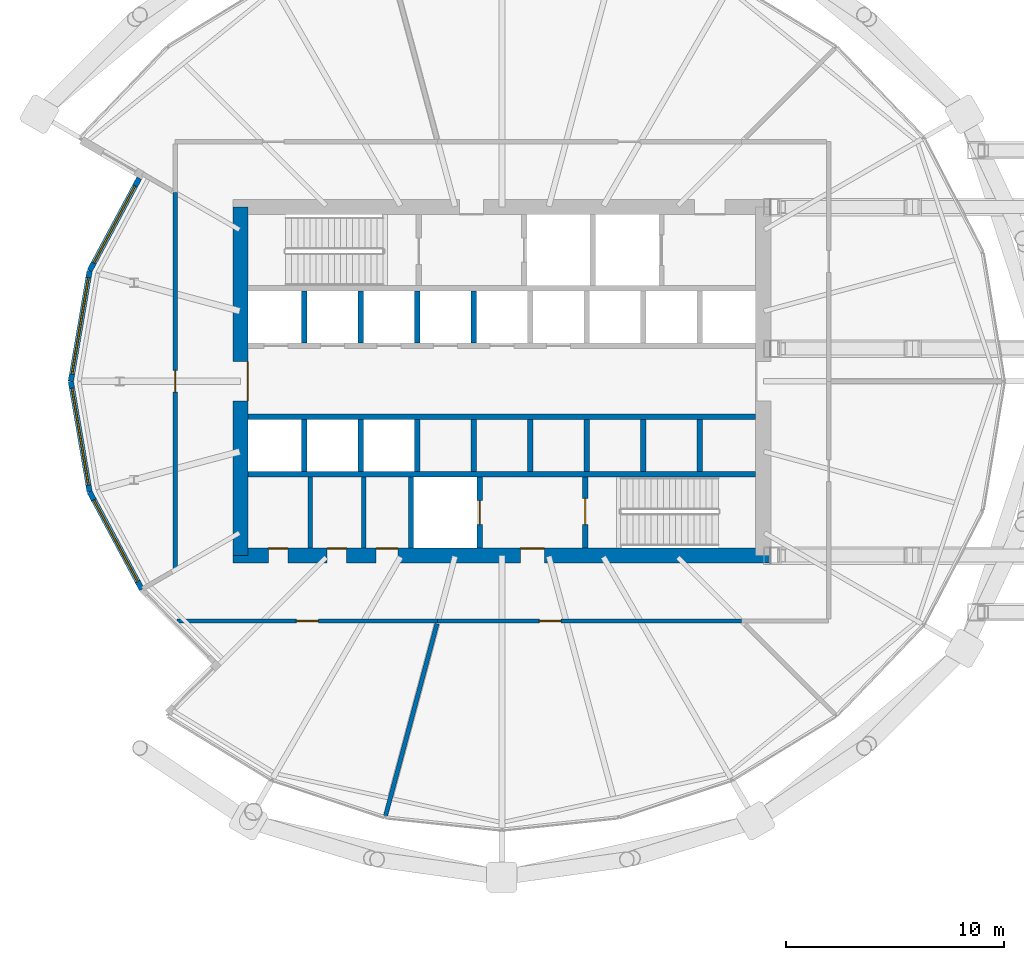
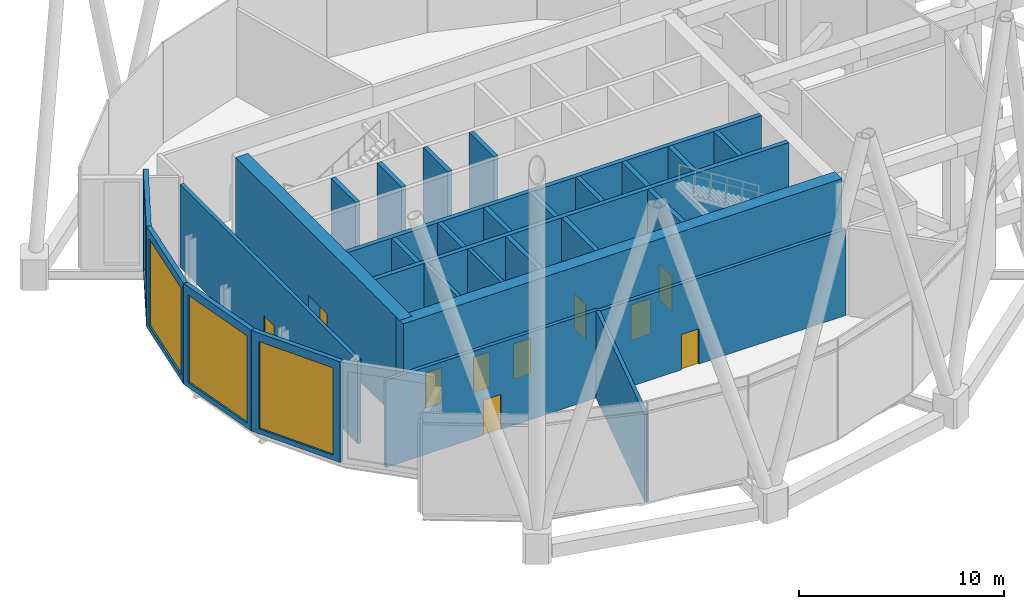
# One storey, part 32 of 39: 29 walls, 10 doors, 4 windows, 14 openings.
"""IFC4 building model written with IfcOpenShell, lengths in metres."""

from ifc_helpers import new_model, si_unit, direction, frame, frame_2d, origin, place, context, subcontext, project, spatial, rectangle, extrude, material, layer, layer_set, type_object, element, fill, save


model = new_model("IFC4")

# Units and contexts
model_context = context("Model", 3, precision=1e-05, world=origin(), true_north=direction((0.0, 1.0)))
body_context = subcontext(model_context, "Body", "Model", "MODEL_VIEW")
ifc_project = project(units=[si_unit("LENGTHUNIT", "METRE"), si_unit("AREAUNIT", "SQUARE_METRE"), si_unit("VOLUMEUNIT", "CUBIC_METRE"), si_unit("PLANEANGLEUNIT", "RADIAN"), si_unit("MASSUNIT", "GRAM", prefix="KILO")], contexts=[model_context])

# Site, building, storey
site_placement = place(None, origin())
site = spatial("IfcSite", under=ifc_project, at=site_placement, CompositionType="ELEMENT")
building_placement = place(site_placement, origin())
building = spatial("IfcBuilding", under=site, at=building_placement, Name="Rimbun Link Towers", CompositionType="ELEMENT")
storey_placement = place(building_placement, frame((0.0, 0.0, 127.199951171875)))
storey = spatial("IfcBuildingStorey", under=building, at=storey_placement, Name="L31", CompositionType="ELEMENT", Elevation=127.199951171875)

# Wall, opening, window
ifc_material_1 = material(Name="Dark enamelled glass spandrel on insulated aluminium backpan", Category="aluminium")
ifc_layer_1 = layer(ifc_material_1, 0.25)
ifc_layer_set_1 = layer_set([ifc_layer_1], Name="CS dark enamelled spandrel wall 250")
wall_type_1 = type_object("IfcWallType", Name="CS dark enamelled spandrel wall 250", PredefinedType="STANDARD", material=ifc_layer_set_1)
wall_1_placement = place(storey_placement, frame((-50.67822265625, 5.080810546875, 0.0), z_axis=(0.0, 0.0, 1.0), x_axis=(0.472357846454, 0.881406866829, 0.0)))
wall_1 = element("IfcWall", 1, at=wall_1_placement, inside=storey, type_object=wall_type_1, Name="Crease spandrel wall", PredefinedType="STANDARD", context=body_context, shape_type="SweptSolid", body=[
    extrude(rectangle(XDim=4.816650390625, YDim=0.25, at=frame_2d((2.408203125, 0.0))), origin(), (0.0, 0.0, 1.0), 6.0),
])
opening_1_placement = place(wall_1_placement, frame((0.408203125, 0.0, 0.300048828125)))
opening_1 = element("IfcOpeningElement", 2, at=opening_1_placement, cuts=wall_1, Name="Opening WR40H520", PredefinedType="OPENING", context=body_context, shape_type="SweptSolid", body=[
    extrude(rectangle(XDim=4.0, YDim=5.199951171875, at=frame_2d((2.0, 2.60009765625))), frame((0.0, 0.135009765625, 0.0), z_axis=(0.0, -1.0, 0.0), x_axis=(1.0, 0.0, 0.0)), (0.0, 0.0, 1.0), 0.27001953125),
])
ifc_material_2 = material(Name="Aluminium framed fixed window, dark tinted low-e glass", Category="aluminium")
window_type_1 = type_object("IfcWindowType", Name="WR ribbon window 4000X5200", PartitioningType="SINGLE_PANEL", PredefinedType="WINDOW", material=ifc_material_2)
window_1_placement = place(opening_1_placement, origin())
window_1 = element("IfcWindow", 3, at=window_1_placement, inside=storey, type_object=window_type_1, Name="Crease ribbon window", OverallHeight=5.199951171875, OverallWidth=4.0, PartitioningType="SINGLE_PANEL", PredefinedType="WINDOW", context=body_context, shape_type="SweptSolid", body=[
    extrude(rectangle(XDim=4.0, YDim=5.199951171875, at=frame_2d((2.0, 2.60009765625))), frame((0.0, 0.030029296875, 0.0), z_axis=(0.0, -1.0, 0.0), x_axis=(1.0, 0.0, 0.0)), (0.0, 0.0, 1.0), 0.06005859375),
])
fill(opening_1, window_1)

wall_2_placement = place(storey_placement, frame((-51.5419921875, 0.0, 0.0), z_axis=(0.0, 0.0, 1.0), x_axis=(0.16760147929, 0.985854829141, 0.0)))
wall_2 = element("IfcWall", 4, at=wall_2_placement, inside=storey, type_object=wall_type_1, Name="Crease spandrel wall", PredefinedType="STANDARD", context=body_context, shape_type="SweptSolid", body=[
    extrude(rectangle(XDim=5.15380859375, YDim=0.25, at=frame_2d((2.576904296875, 0.0))), origin(), (0.0, 0.0, 1.0), 6.0),
])
opening_2_placement = place(wall_2_placement, frame((0.326904296875, 0.0, 0.300048828125)))
opening_2 = element("IfcOpeningElement", 5, at=opening_2_placement, cuts=wall_2, Name="Opening WR45H520", PredefinedType="OPENING", context=body_context, shape_type="SweptSolid", body=[
    extrude(rectangle(XDim=4.5, YDim=5.199951171875, at=frame_2d((2.25, 2.60009765625))), frame((0.0, 0.135009765625, 0.0), z_axis=(0.0, -1.0, 0.0), x_axis=(1.0, 0.0, 0.0)), (0.0, 0.0, 1.0), 0.27001953125),
])
ifc_material_3 = material(Name="Aluminium framed fixed window, dark tinted low-e glass", Category="aluminium")
window_type_2 = type_object("IfcWindowType", Name="WR ribbon window 4500X5200", PartitioningType="SINGLE_PANEL", PredefinedType="WINDOW", material=ifc_material_3)
window_2_placement = place(opening_2_placement, origin())
window_2 = element("IfcWindow", 6, at=window_2_placement, inside=storey, type_object=window_type_2, Name="Crease ribbon window", OverallHeight=5.199951171875, OverallWidth=4.5, PartitioningType="SINGLE_PANEL", PredefinedType="WINDOW", context=body_context, shape_type="SweptSolid", body=[
    extrude(rectangle(XDim=4.5, YDim=5.199951171875, at=frame_2d((2.25, 2.60009765625))), frame((0.0, 0.030029296875, 0.0), z_axis=(0.0, -1.0, 0.0), x_axis=(1.0, 0.0, 0.0)), (0.0, 0.0, 1.0), 0.06005859375),
])
fill(opening_2, window_2)

wall_3_placement = place(storey_placement, frame((-50.67822265625, -5.080810546875, 0.0), z_axis=(0.0, 0.0, 1.0), x_axis=(-0.16760147929, 0.985854829141, 0.0)))
wall_3 = element("IfcWall", 7, at=wall_3_placement, inside=storey, type_object=wall_type_1, Name="Crease spandrel wall", PredefinedType="STANDARD", context=body_context, shape_type="SweptSolid", body=[
    extrude(rectangle(XDim=5.15380859375, YDim=0.25, at=frame_2d((2.576904296875, 0.0))), origin(), (0.0, 0.0, 1.0), 6.0),
])
opening_3_placement = place(wall_3_placement, frame((0.326904296875, 0.0, 0.300048828125)))
opening_3 = element("IfcOpeningElement", 8, at=opening_3_placement, cuts=wall_3, Name="Opening WR45H520", PredefinedType="OPENING", context=body_context, shape_type="SweptSolid", body=[
    extrude(rectangle(XDim=4.5, YDim=5.199951171875, at=frame_2d((2.25, 2.60009765625))), frame((0.0, 0.135009765625, 0.0), z_axis=(0.0, -1.0, 0.0), x_axis=(1.0, 0.0, 0.0)), (0.0, 0.0, 1.0), 0.27001953125),
])
window_3_placement = place(opening_3_placement, origin())
window_3 = element("IfcWindow", 9, at=window_3_placement, inside=storey, type_object=window_type_2, Name="Crease ribbon window", OverallHeight=5.199951171875, OverallWidth=4.5, PartitioningType="SINGLE_PANEL", PredefinedType="WINDOW", context=body_context, shape_type="SweptSolid", body=[
    extrude(rectangle(XDim=4.5, YDim=5.199951171875, at=frame_2d((2.25, 2.60009765625))), frame((0.0, 0.030029296875, 0.0), z_axis=(0.0, -1.0, 0.0), x_axis=(1.0, 0.0, 0.0)), (0.0, 0.0, 1.0), 0.06005859375),
])
fill(opening_3, window_3)

wall_4_placement = place(storey_placement, frame((-48.2783203125, -9.559326171875, 0.0), z_axis=(0.0, 0.0, 1.0), x_axis=(-0.472328080238, 0.881422818299, 0.0)))
wall_4 = element("IfcWall", 10, at=wall_4_placement, inside=storey, type_object=wall_type_1, Name="Crease spandrel wall", PredefinedType="STANDARD", context=body_context, shape_type="SweptSolid", body=[
    extrude(rectangle(XDim=5.0810546875, YDim=0.25, at=frame_2d((2.54052734375, 0.0))), origin(), (0.0, 0.0, 1.0), 6.0),
])
opening_4_placement = place(wall_4_placement, frame((0.41552734375, 0.0, 0.300048828125)))
opening_4 = element("IfcOpeningElement", 11, at=opening_4_placement, cuts=wall_4, Name="Opening WR42H520", PredefinedType="OPENING", context=body_context, shape_type="SweptSolid", body=[
    extrude(rectangle(XDim=4.25, YDim=5.199951171875, at=frame_2d((2.125, 2.60009765625))), frame((0.0, 0.135009765625, 0.0), z_axis=(0.0, -1.0, 0.0), x_axis=(1.0, 0.0, 0.0)), (0.0, 0.0, 1.0), 0.27001953125),
])
ifc_material_4 = material(Name="Aluminium framed fixed window, dark tinted low-e glass", Category="aluminium")
window_type_3 = type_object("IfcWindowType", Name="WR ribbon window 4250X5200", PartitioningType="SINGLE_PANEL", PredefinedType="WINDOW", material=ifc_material_4)
window_4_placement = place(opening_4_placement, origin())
window_4 = element("IfcWindow", 12, at=window_4_placement, inside=storey, type_object=window_type_3, Name="Crease ribbon window", OverallHeight=5.199951171875, OverallWidth=4.25, PartitioningType="SINGLE_PANEL", PredefinedType="WINDOW", context=body_context, shape_type="SweptSolid", body=[
    extrude(rectangle(XDim=4.25, YDim=5.199951171875, at=frame_2d((2.125, 2.60009765625))), frame((0.0, 0.030029296875, 0.0), z_axis=(0.0, -1.0, 0.0), x_axis=(1.0, 0.0, 0.0)), (0.0, 0.0, 1.0), 0.06005859375),
])
fill(opening_4, window_4)

# Walls
ifc_material_5 = material(Name="Masonry blockwork", Category="masonry")
ifc_layer_2 = layer(ifc_material_5, 0.199951171875)
ifc_layer_set_2 = layer_set([ifc_layer_2], Name="Core partition 200")
wall_type_2 = type_object("IfcWallType", Name="Core partition 200", PredefinedType="PARTITIONING", material=ifc_layer_set_2)
for number, where, z_axis, x_axis, name in (
    (13, (-40.550048828125, -4.39990234375, 0.0), (0.0, 0.0, 1.0), (0.0, -1.0, 0.0), "L31 T1 core wall C1"),
    (14, (-38.10009765625, -4.39990234375, 0.0), (0.0, 0.0, 1.0), (0.0, -1.0, 0.0), "L31 T1 core wall C2"),
):
    element("IfcWall", number, at=place(storey_placement, frame(where, z_axis=z_axis, x_axis=x_axis)), inside=storey, type_object=wall_type_2, Name=name, PredefinedType="PARTITIONING", context=body_context, shape_type="SweptSolid", body=[
        extrude(rectangle(XDim=3.25, YDim=0.199951171875, at=frame_2d((1.625, 0.0))), origin(), (0.0, 0.0, 1.0), 6.0),
    ])

# Wall, openings, doors
ifc_material_6 = material(Name="Concrete C60/75", Category="concrete")
ifc_layer_3 = layer(ifc_material_6, 0.699951171875)
ifc_layer_set_3 = layer_set([ifc_layer_3], Name="Core shear wall 700")
wall_type_3 = type_object("IfcWallType", Name="Core shear wall 700", PredefinedType="SHEAR", material=ifc_layer_set_3)
wall_5_placement = place(storey_placement, frame((-44.10009765625, -8.0, 0.0), z_axis=(0.0, 0.0, 1.0), x_axis=(1.0, 0.0, 0.0)))
wall_5 = element("IfcWall", 15, at=wall_5_placement, inside=storey, type_object=wall_type_3, Name="L31 T1 core wall S", PredefinedType="SHEAR", context=body_context, shape_type="SweptSolid", body=[
    extrude(rectangle(XDim=24.7001953125, YDim=0.699951171875, at=frame_2d((12.35009765625, 0.0))), origin(), (0.0, 0.0, 1.0), 6.0),
])
opening_5_placement = place(wall_5_placement, frame((13.199951171875, 0.0, 0.0)))
opening_5 = element("IfcOpeningElement", 16, at=opening_5_placement, cuts=wall_5, Name="Opening C1DCF01S", PredefinedType="OPENING", context=body_context, shape_type="SweptSolid", body=[
    extrude(rectangle(XDim=1.10009765625, YDim=2.10009765625, at=frame_2d((0.550048828125, 1.050048828125))), frame((0.0, 0.35986328125, 0.0), z_axis=(0.0, -1.0, 0.0), x_axis=(1.0, 0.0, 0.0)), (0.0, 0.0, 1.0), 0.719970703125),
])
opening_6_placement = place(wall_5_placement, frame((1.625, 0.0, 0.0)))
opening_6 = element("IfcOpeningElement", 17, at=opening_6_placement, cuts=wall_5, Name="Opening C1DWC02S", PredefinedType="OPENING", context=body_context, shape_type="SweptSolid", body=[
    extrude(rectangle(XDim=0.89990234375, YDim=2.10009765625, at=frame_2d((0.449951171875, 1.050048828125))), frame((0.0, 0.35986328125, 0.0), z_axis=(0.0, -1.0, 0.0), x_axis=(1.0, 0.0, 0.0)), (0.0, 0.0, 1.0), 0.719970703125),
])
opening_7_placement = place(wall_5_placement, frame((4.324951171875, 0.0, 0.0)))
opening_7 = element("IfcOpeningElement", 18, at=opening_7_placement, cuts=wall_5, Name="Opening C1DWC03S", PredefinedType="OPENING", context=body_context, shape_type="SweptSolid", body=[
    extrude(rectangle(XDim=0.89990234375, YDim=2.10009765625, at=frame_2d((0.449951171875, 1.050048828125))), frame((0.0, 0.35986328125, 0.0), z_axis=(0.0, -1.0, 0.0), x_axis=(1.0, 0.0, 0.0)), (0.0, 0.0, 1.0), 0.719970703125),
])
opening_8_placement = place(wall_5_placement, frame((6.574951171875, 0.0, 0.0)))
opening_8 = element("IfcOpeningElement", 19, at=opening_8_placement, cuts=wall_5, Name="Opening C1DAW04S", PredefinedType="OPENING", context=body_context, shape_type="SweptSolid", body=[
    extrude(rectangle(XDim=1.0, YDim=2.10009765625, at=frame_2d((0.5, 1.050048828125))), frame((0.0, 0.35986328125, 0.0), z_axis=(0.0, -1.0, 0.0), x_axis=(1.0, 0.0, 0.0)), (0.0, 0.0, 1.0), 0.719970703125),
])
ifc_material_7 = material(Name="Timber", Category="wood")
door_type_1 = type_object("IfcDoorType", Name="Accessible WC door", OperationType="SINGLE_SWING_LEFT", PredefinedType="DOOR", material=ifc_material_7)
door_1_placement = place(opening_8_placement, origin())
door_1 = element("IfcDoor", 20, at=door_1_placement, inside=storey, type_object=door_type_1, Name="L31 T1 accessible wc door", OperationType="SINGLE_SWING_RIGHT", OverallHeight=2.10009765625, OverallWidth=1.0, PredefinedType="DOOR", context=body_context, shape_type="SweptSolid", body=[
    extrude(rectangle(XDim=1.0, YDim=2.10009765625, at=frame_2d((0.5, 1.050048828125))), frame((0.0, 0.35009765625, 0.0), z_axis=(0.0, -1.0, 0.0), x_axis=(1.0, 0.0, 0.0)), (0.0, 0.0, 1.0), 0.050048828125),
])
fill(opening_8, door_1)
ifc_material_8 = material(Name="Steel fire door set", Category="steel")
door_type_2 = type_object("IfcDoorType", Name="Core fire door single", OperationType="SINGLE_SWING_LEFT", PredefinedType="DOOR", material=ifc_material_8)
door_2_placement = place(opening_5_placement, origin())
door_2 = element("IfcDoor", 21, at=door_2_placement, inside=storey, type_object=door_type_2, Name="L31 T1 firefighting lobby s door", OperationType="SINGLE_SWING_RIGHT", OverallHeight=2.10009765625, OverallWidth=1.10009765625, PredefinedType="DOOR", context=body_context, shape_type="SweptSolid", body=[
    extrude(rectangle(XDim=1.10009765625, YDim=2.10009765625, at=frame_2d((0.550048828125, 1.050048828125))), frame((0.0, 0.35009765625, 0.0), z_axis=(0.0, -1.0, 0.0), x_axis=(1.0, 0.0, 0.0)), (0.0, 0.0, 1.0), 0.050048828125),
])
fill(opening_5, door_2)
ifc_material_9 = material(Name="Timber", Category="wood")
door_type_3 = type_object("IfcDoorType", Name="WC door", OperationType="SINGLE_SWING_LEFT", PredefinedType="DOOR", material=ifc_material_9)
door_3_placement = place(opening_6_placement, origin())
door_3 = element("IfcDoor", 22, at=door_3_placement, inside=storey, type_object=door_type_3, Name="L31 T1 male wc door", OperationType="SINGLE_SWING_LEFT", OverallHeight=2.10009765625, OverallWidth=0.89990234375, PredefinedType="DOOR", context=body_context, shape_type="SweptSolid", body=[
    extrude(rectangle(XDim=0.89990234375, YDim=2.10009765625, at=frame_2d((0.449951171875, 1.050048828125))), frame((0.0, 0.35009765625, 0.0), z_axis=(0.0, -1.0, 0.0), x_axis=(1.0, 0.0, 0.0)), (0.0, 0.0, 1.0), 0.050048828125),
])
fill(opening_6, door_3)
door_4_placement = place(opening_7_placement, origin())
door_4 = element("IfcDoor", 23, at=door_4_placement, inside=storey, type_object=door_type_3, Name="L31 T1 female wc door", OperationType="SINGLE_SWING_RIGHT", OverallHeight=2.10009765625, OverallWidth=0.89990234375, PredefinedType="DOOR", context=body_context, shape_type="SweptSolid", body=[
    extrude(rectangle(XDim=0.89990234375, YDim=2.10009765625, at=frame_2d((0.449951171875, 1.050048828125))), frame((0.0, 0.35009765625, 0.0), z_axis=(0.0, -1.0, 0.0), x_axis=(1.0, 0.0, 0.0)), (0.0, 0.0, 1.0), 0.050048828125),
])
fill(opening_7, door_4)

# Wall, opening, door
wall_6_placement = place(storey_placement, frame((-43.75, -8.0, 0.0), z_axis=(0.0, 0.0, 1.0), x_axis=(0.0, 1.0, 0.0)))
wall_6 = element("IfcWall", 24, at=wall_6_placement, inside=storey, type_object=wall_type_3, Name="L31 T1 core wall W", PredefinedType="SHEAR", context=body_context, shape_type="SweptSolid", body=[
    extrude(rectangle(XDim=16.0, YDim=0.699951171875, at=frame_2d((8.0, 0.0))), origin(), (0.0, 0.0, 1.0), 6.0),
])
opening_9_placement = place(wall_6_placement, frame((7.10009765625, 0.0, 0.0)))
opening_9 = element("IfcOpeningElement", 25, at=opening_9_placement, cuts=wall_6, Name="Opening C1DCL01W", PredefinedType="OPENING", context=body_context, shape_type="SweptSolid", body=[
    extrude(rectangle(XDim=1.800048828125, YDim=2.10009765625, at=frame_2d((0.89990234375, 1.050048828125))), frame((0.0, 0.35986328125, 0.0), z_axis=(0.0, -1.0, 0.0), x_axis=(1.0, 0.0, 0.0)), (0.0, 0.0, 1.0), 0.719970703125),
])
ifc_material_10 = material(Name="Steel fire door set", Category="steel")
door_type_4 = type_object("IfcDoorType", Name="Core lobby door double", OperationType="DOUBLE_DOOR_SINGLE_SWING", PredefinedType="DOOR", material=ifc_material_10)
door_5_placement = place(opening_9_placement, origin())
door_5 = element("IfcDoor", 26, at=door_5_placement, inside=storey, type_object=door_type_4, Name="L31 T1 lift lobby door", OperationType="DOUBLE_DOOR_SINGLE_SWING", OverallHeight=2.10009765625, OverallWidth=1.800048828125, PredefinedType="DOOR", context=body_context, shape_type="SweptSolid", body=[
    extrude(rectangle(XDim=1.800048828125, YDim=2.10009765625, at=frame_2d((0.89990234375, 1.050048828125))), frame((0.0, -0.2998046875, 0.0), z_axis=(0.0, -1.0, 0.0), x_axis=(1.0, 0.0, 0.0)), (0.0, 0.0, 1.0), 0.050048828125),
])
fill(opening_9, door_5)

ifc_material_11 = material(Name="Concrete blockwork", Category="masonry")
ifc_layer_4 = layer(ifc_material_11, 0.199951171875)
ifc_layer_set_4 = layer_set([ifc_layer_4], Name="Fire partition 200 blockwork")
wall_type_4 = type_object("IfcWallType", Name="Fire partition 200 blockwork", PredefinedType="PARTITIONING", material=ifc_layer_set_4)
wall_7_placement = place(storey_placement, frame((-46.666259765625, -11.0, 0.0), z_axis=(0.0, 0.0, 1.0), x_axis=(1.0, 0.0, 0.0)))
wall_7 = element("IfcWall", 27, at=wall_7_placement, inside=storey, type_object=wall_type_4, Name="TW/PW/L31/001", PredefinedType="PARTITIONING", context=body_context, shape_type="SweptSolid", body=[
    extrude(rectangle(XDim=11.96875, YDim=0.199951171875, at=frame_2d((5.984375, 0.0))), origin(), (0.0, 0.0, 1.0), 5.197021484375),
])
opening_10_placement = place(wall_7_placement, frame((5.48388671875, 0.0, 0.0)))
opening_10 = element("IfcOpeningElement", 28, at=opening_10_placement, cuts=wall_7, Name="Opening TW D31.01", PredefinedType="OPENING", context=body_context, shape_type="SweptSolid", body=[
    extrude(rectangle(XDim=1.0, YDim=2.10009765625, at=frame_2d((0.5, 1.050048828125))), frame((0.0, 0.10986328125, 0.0), z_axis=(0.0, -1.0, 0.0), x_axis=(1.0, 0.0, 0.0)), (0.0, 0.0, 1.0), 0.219970703125),
])
ifc_material_12 = material(Name="Steel fire door set", Category="steel")
door_type_5 = type_object("IfcDoorType", Name="Fire door single leaf 1000 x 2100", OperationType="NOTDEFINED", PredefinedType="DOOR", material=ifc_material_12)
door_6_placement = place(opening_10_placement, origin())
door_6 = element("IfcDoor", 29, at=door_6_placement, inside=storey, type_object=door_type_5, Name="TW/DR/L31/001", OperationType="SINGLE_SWING_RIGHT", OverallHeight=2.10009765625, OverallWidth=1.0, PredefinedType="DOOR", context=body_context, shape_type="SweptSolid", body=[
    extrude(rectangle(XDim=1.0, YDim=2.10009765625, at=frame_2d((0.5, 1.050048828125))), frame((0.0, 0.02490234375, 0.0), z_axis=(0.0, -1.0, 0.0), x_axis=(1.0, 0.0, 0.0)), (0.0, 0.0, 1.0), 0.050048828125),
])
fill(opening_10, door_6)

wall_8_placement = place(storey_placement, frame((-34.697509765625, -11.0, 0.0), z_axis=(0.0, 0.0, 1.0), x_axis=(1.0, 0.0, 0.0)))
wall_8 = element("IfcWall", 30, at=wall_8_placement, inside=storey, type_object=wall_type_4, Name="TW/PW/L31/002", PredefinedType="PARTITIONING", context=body_context, shape_type="SweptSolid", body=[
    extrude(rectangle(XDim=13.947509765625, YDim=0.199951171875, at=frame_2d((6.9736328125, 0.0))), origin(), (0.0, 0.0, 1.0), 5.115966796875),
])
opening_11_placement = place(wall_8_placement, frame((4.6669921875, 0.0, 0.0)))
opening_11 = element("IfcOpeningElement", 31, at=opening_11_placement, cuts=wall_8, Name="Opening TW D31.02", PredefinedType="OPENING", context=body_context, shape_type="SweptSolid", body=[
    extrude(rectangle(XDim=1.0, YDim=2.10009765625, at=frame_2d((0.5, 1.050048828125))), frame((0.0, 0.10986328125, 0.0), z_axis=(0.0, -1.0, 0.0), x_axis=(1.0, 0.0, 0.0)), (0.0, 0.0, 1.0), 0.219970703125),
])
door_7_placement = place(opening_11_placement, origin())
door_7 = element("IfcDoor", 32, at=door_7_placement, inside=storey, type_object=door_type_5, Name="TW/DR/L31/002", OperationType="SINGLE_SWING_LEFT", OverallHeight=2.10009765625, OverallWidth=1.0, PredefinedType="DOOR", context=body_context, shape_type="SweptSolid", body=[
    extrude(rectangle(XDim=1.0, YDim=2.10009765625, at=frame_2d((0.5, 1.050048828125))), frame((0.0, 0.02490234375, 0.0), z_axis=(0.0, -1.0, 0.0), x_axis=(1.0, 0.0, 0.0)), (0.0, 0.0, 1.0), 0.050048828125),
])
fill(opening_11, door_7)

wall_9_placement = place(storey_placement, frame((-46.75, 8.660400390625, 0.0), z_axis=(0.0, 0.0, 1.0), x_axis=(0.0, -1.0, 0.0)))
wall_9 = element("IfcWall", 33, at=wall_9_placement, inside=storey, type_object=wall_type_4, Name="TW/PW/L31/010", PredefinedType="PARTITIONING", context=body_context, shape_type="SweptSolid", body=[
    extrude(rectangle(XDim=17.32080078125, YDim=0.199951171875, at=frame_2d((8.660400390625, 0.0))), origin(), (0.0, 0.0, 1.0), 4.958984375),
])
opening_12_placement = place(wall_9_placement, frame((8.159912109375, 0.0, 0.0)))
opening_12 = element("IfcOpeningElement", 34, at=opening_12_placement, cuts=wall_9, Name="Opening TW D31.07", PredefinedType="OPENING", context=body_context, shape_type="SweptSolid", body=[
    extrude(rectangle(XDim=1.0, YDim=2.10009765625, at=frame_2d((0.5, 1.050048828125))), frame((0.0, 0.10986328125, 0.0), z_axis=(0.0, -1.0, 0.0), x_axis=(1.0, 0.0, 0.0)), (0.0, 0.0, 1.0), 0.219970703125),
])
door_8_placement = place(opening_12_placement, origin())
door_8 = element("IfcDoor", 35, at=door_8_placement, inside=storey, type_object=door_type_5, Name="TW/DR/L31/007", OperationType="SINGLE_SWING_RIGHT", OverallHeight=2.10009765625, OverallWidth=1.0, PredefinedType="DOOR", context=body_context, shape_type="SweptSolid", body=[
    extrude(rectangle(XDim=1.0, YDim=2.10009765625, at=frame_2d((0.5, 1.050048828125))), frame((0.0, 0.02490234375, 0.0), z_axis=(0.0, -1.0, 0.0), x_axis=(1.0, 0.0, 0.0)), (0.0, 0.0, 1.0), 0.050048828125),
])
fill(opening_12, door_8)

# Walls
wall_10_placement = place(storey_placement, frame((-37.093505859375, -19.94189453125, 0.0), z_axis=(0.0, 0.0, 1.0), x_axis=(0.258827896586, 0.965923454498, 0.0)))
element("IfcWall", 36, at=wall_10_placement, inside=storey, type_object=wall_type_4, Name="TW/PW/L31/012", PredefinedType="PARTITIONING", context=body_context, shape_type="SweptSolid", body=[
    extrude(rectangle(XDim=9.126953125, YDim=0.199951171875, at=frame_2d((4.5634765625, 0.0))), origin(), (0.0, 0.0, 1.0), 5.197021484375),
])
ifc_material_13 = material(Name="Concrete C60/75", Category="concrete")
ifc_layer_5 = layer(ifc_material_13, 0.25)
ifc_layer_set_5 = layer_set([ifc_layer_5], Name="Shaft wall 250")
wall_type_5 = type_object("IfcWallType", Name="Shaft wall 250", PredefinedType="SHEAR", material=ifc_layer_set_5)
for number, where, z_axis, x_axis, name in (
    (37, (-43.39990234375, -4.27490234375, 0.0), (0.0, 0.0, 1.0), (1.0, 0.0, 0.0), "L31 T1 core wall BS"),
    (38, (-43.39990234375, -1.625, 0.0), (0.0, 0.0, 1.0), (1.0, 0.0, 0.0), "L31 T1 core wall FS"),
):
    element("IfcWall", number, at=place(storey_placement, frame(where, z_axis=z_axis, x_axis=x_axis)), inside=storey, type_object=wall_type_5, Name=name, PredefinedType="SHEAR", context=body_context, shape_type="SweptSolid", body=[
        extrude(rectangle(XDim=23.2998046875, YDim=0.25, at=frame_2d((11.64990234375, 0.0))), origin(), (0.0, 0.0, 1.0), 6.0),
    ])
for number, where, z_axis, x_axis, name in (
    (39, (-40.83056640625, 1.75, 0.0), (0.0, 0.0, 1.0), (0.0, 1.0, 0.0), "L31 T1 core wall DN0"),
    (40, (-38.236083984375, 1.75, 0.0), (0.0, 0.0, 1.0), (0.0, 1.0, 0.0), "L31 T1 core wall DN1"),
    (41, (-35.6416015625, 1.75, 0.0), (0.0, 0.0, 1.0), (0.0, 1.0, 0.0), "L31 T1 core wall DN2"),
    (42, (-33.047119140625, 1.75, 0.0), (0.0, 0.0, 1.0), (0.0, 1.0, 0.0), "L31 T1 core wall DN3"),
    (43, (-40.83056640625, -4.14990234375, 0.0), (0.0, 0.0, 1.0), (0.0, 1.0, 0.0), "L31 T1 core wall DS0"),
    (44, (-38.236083984375, -4.14990234375, 0.0), (0.0, 0.0, 1.0), (0.0, 1.0, 0.0), "L31 T1 core wall DS1"),
    (45, (-35.6416015625, -4.14990234375, 0.0), (0.0, 0.0, 1.0), (0.0, 1.0, 0.0), "L31 T1 core wall DS2"),
    (46, (-33.047119140625, -4.14990234375, 0.0), (0.0, 0.0, 1.0), (0.0, 1.0, 0.0), "L31 T1 core wall DS3"),
    (47, (-30.452880859375, -4.14990234375, 0.0), (0.0, 0.0, 1.0), (0.0, 1.0, 0.0), "L31 T1 core wall DS4"),
    (48, (-27.8583984375, -4.14990234375, 0.0), (0.0, 0.0, 1.0), (0.0, 1.0, 0.0), "L31 T1 core wall DS5"),
    (49, (-25.263916015625, -4.14990234375, 0.0), (0.0, 0.0, 1.0), (0.0, 1.0, 0.0), "L31 T1 core wall DS6"),
    (50, (-22.66943359375, -4.14990234375, 0.0), (0.0, 0.0, 1.0), (0.0, 1.0, 0.0), "L31 T1 core wall DS7"),
):
    element("IfcWall", number, at=place(storey_placement, frame(where, z_axis=z_axis, x_axis=x_axis)), inside=storey, type_object=wall_type_5, Name=name, PredefinedType="SHEAR", context=body_context, shape_type="SweptSolid", body=[
        extrude(rectangle(XDim=2.39990234375, YDim=0.25, at=frame_2d((1.199951171875, 0.0))), origin(), (0.0, 0.0, 1.0), 6.0),
    ])

# Wall, opening, door
wall_11_placement = place(storey_placement, frame((-27.925048828125, -4.39990234375, 0.0), z_axis=(0.0, 0.0, 1.0), x_axis=(0.0, -1.0, 0.0)))
wall_11 = element("IfcWall", 51, at=wall_11_placement, inside=storey, type_object=wall_type_5, Name="L31 T1 core wall B1", PredefinedType="SHEAR", context=body_context, shape_type="SweptSolid", body=[
    extrude(rectangle(XDim=3.25, YDim=0.25, at=frame_2d((1.625, 0.0))), origin(), (0.0, 0.0, 1.0), 6.0),
])
opening_13_placement = place(wall_11_placement, frame((0.97509765625, 0.0, 0.0)))
opening_13 = element("IfcOpeningElement", 52, at=opening_13_placement, cuts=wall_11, Name="Opening C1DST01B1", PredefinedType="OPENING", context=body_context, shape_type="SweptSolid", body=[
    extrude(rectangle(XDim=1.199951171875, YDim=2.10009765625, at=frame_2d((0.60009765625, 1.050048828125))), frame((0.0, 0.135009765625, 0.0), z_axis=(0.0, -1.0, 0.0), x_axis=(1.0, 0.0, 0.0)), (0.0, 0.0, 1.0), 0.27001953125),
])
ifc_material_14 = material(Name="Steel fire door set", Category="steel")
door_type_6 = type_object("IfcDoorType", Name="Stair door", OperationType="SINGLE_SWING_LEFT", PredefinedType="DOOR", material=ifc_material_14)
door_9_placement = place(opening_13_placement, origin())
door_9 = element("IfcDoor", 53, at=door_9_placement, inside=storey, type_object=door_type_6, Name="L31 T1 stair b door", OperationType="SINGLE_SWING_RIGHT", OverallHeight=2.10009765625, OverallWidth=1.199951171875, PredefinedType="DOOR", context=body_context, shape_type="SweptSolid", body=[
    extrude(rectangle(XDim=1.199951171875, YDim=2.10009765625, at=frame_2d((0.60009765625, 1.050048828125))), frame((0.0, 0.02490234375, 0.0), z_axis=(0.0, -1.0, 0.0), x_axis=(1.0, 0.0, 0.0)), (0.0, 0.0, 1.0), 0.050048828125),
])
fill(opening_13, door_9)

wall_12_placement = place(storey_placement, frame((-32.77490234375, -4.39990234375, 0.0), z_axis=(0.0, 0.0, 1.0), x_axis=(0.0, -1.0, 0.0)))
wall_12 = element("IfcWall", 54, at=wall_12_placement, inside=storey, type_object=wall_type_5, Name="L31 T1 core wall B2", PredefinedType="SHEAR", context=body_context, shape_type="SweptSolid", body=[
    extrude(rectangle(XDim=3.25, YDim=0.25, at=frame_2d((1.625, 0.0))), origin(), (0.0, 0.0, 1.0), 6.0),
])
opening_14_placement = place(wall_12_placement, frame((1.074951171875, 0.0, 0.0)))
opening_14 = element("IfcOpeningElement", 55, at=opening_14_placement, cuts=wall_12, Name="Opening LD-T1-FF2", PredefinedType="OPENING", context=body_context, shape_type="SweptSolid", body=[
    extrude(rectangle(XDim=1.10009765625, YDim=2.10009765625, at=frame_2d((0.550048828125, 1.050048828125))), frame((0.0, 0.135009765625, 0.0), z_axis=(0.0, -1.0, 0.0), x_axis=(1.0, 0.0, 0.0)), (0.0, 0.0, 1.0), 0.27001953125),
])
ifc_material_15 = material(Name="Stainless steel grade 316", Category="steel")
door_type_7 = type_object("IfcDoorType", Name="Lift landing door", OperationType="DOUBLE_DOOR_SLIDING", PredefinedType="DOOR", material=ifc_material_15)
door_10_placement = place(opening_14_placement, origin())
door_10 = element("IfcDoor", 56, at=door_10_placement, inside=storey, type_object=door_type_7, Name="L31 T1 lift FF2 landing door", OperationType="DOUBLE_DOOR_SLIDING", OverallHeight=2.10009765625, OverallWidth=1.10009765625, PredefinedType="DOOR", context=body_context, shape_type="SweptSolid", body=[
    extrude(rectangle(XDim=1.10009765625, YDim=2.10009765625, at=frame_2d((0.550048828125, 1.050048828125))), frame((0.0, 0.02490234375, 0.0), z_axis=(0.0, -1.0, 0.0), x_axis=(1.0, 0.0, 0.0)), (0.0, 0.0, 1.0), 0.050048828125),
])
fill(opening_14, door_10)

# Wall
wall_13_placement = place(storey_placement, frame((-35.925048828125, -4.39990234375, 0.0), z_axis=(0.0, 0.0, 1.0), x_axis=(0.0, -1.0, 0.0)))
element("IfcWall", 57, at=wall_13_placement, inside=storey, type_object=wall_type_5, Name="L31 T1 core wall B3", PredefinedType="SHEAR", context=body_context, shape_type="SweptSolid", body=[
    extrude(rectangle(XDim=3.25, YDim=0.25, at=frame_2d((1.625, 0.0))), origin(), (0.0, 0.0, 1.0), 6.0),
])

save(model, "model.ifc")
